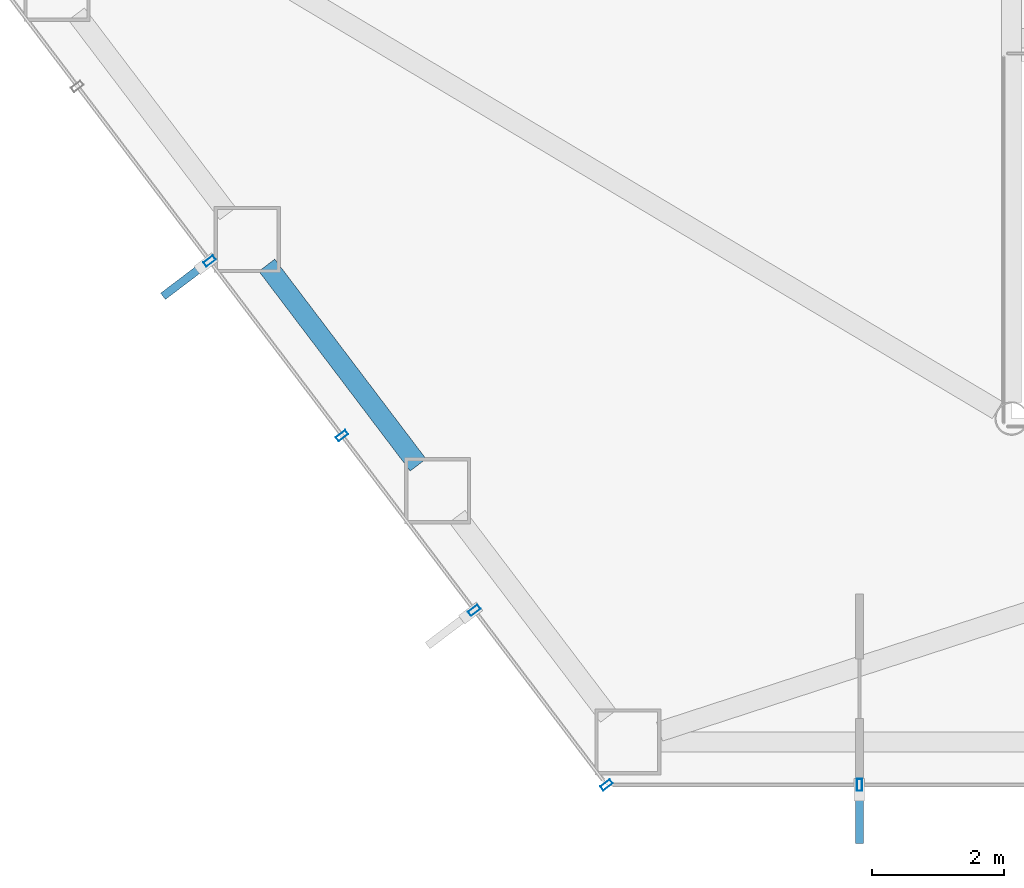
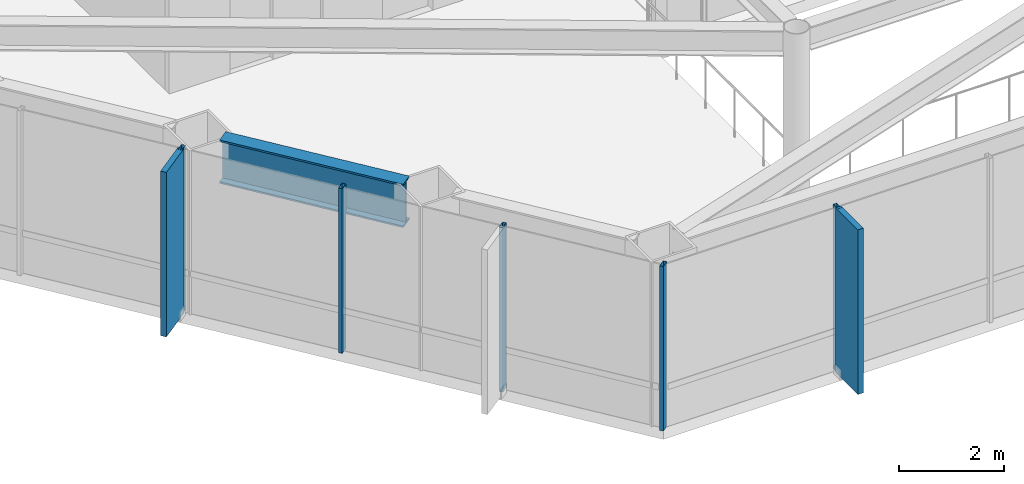
# One storey, part 2 of 25: 7 members, 1 beam, 2 elements without a shape of their own.
"""IFC4 building model written with IfcOpenShell, lengths in metres."""

from ifc_helpers import new_model, si_unit, direction, frame, origin, origin_2d, place, context, subcontext, project, spatial, rectangle, hollow_rectangle, i_section, extrude, material, layer, layer_set, material_profile, profile_set, type_object, element, aggregate, save


model = new_model("IFC4")

# Units and contexts
model_context = context("Model", 3, precision=1e-05, world=origin(), true_north=direction((0.0, 1.0)))
body_context = subcontext(model_context, "Body", "Model", "MODEL_VIEW")
ifc_project = project(units=[si_unit("LENGTHUNIT", "METRE"), si_unit("AREAUNIT", "SQUARE_METRE"), si_unit("VOLUMEUNIT", "CUBIC_METRE"), si_unit("PLANEANGLEUNIT", "RADIAN"), si_unit("MASSUNIT", "GRAM", prefix="KILO")], contexts=[model_context])

# Site, building, storey
site_placement = place(None, origin())
site = spatial("IfcSite", under=ifc_project, at=site_placement, CompositionType="ELEMENT")
building_placement = place(site_placement, origin())
building = spatial("IfcBuilding", under=site, at=building_placement, Name="Zarrinselat Tower", CompositionType="ELEMENT")
storey_placement = place(building_placement, frame((0.0, 0.0, 52.02001953125)))
storey = spatial("IfcBuildingStorey", under=building, at=storey_placement, Name="L12", CompositionType="ELEMENT", Elevation=52.02001953125)

# Beam
ifc_material_1 = material(Name="Steel S460M", Category="steel")
ifc_material_profile_1 = material_profile(ifc_material_1, i_section(OverallWidth=0.302001953125, OverallDepth=1.008056640625, WebThickness=0.02099609375, FlangeThickness=0.0400390625, at=origin_2d()), Name="HEM 1000")
ifc_profile_set_1 = profile_set([ifc_material_profile_1], Name="Steel S460M")
beam_type = type_object("IfcBeamType", Name="BM-HEM1000", PredefinedType="BEAM", material=ifc_profile_set_1)
beam_placement = place(storey_placement, frame((22.541015625, 26.718017578125, 3.31591796875), z_axis=(0.603839076561, -0.797106247384, 0.0), x_axis=(0.797106247384, 0.603839076561, 0.0)))
element("IfcBeam", 1, at=beam_placement, inside=storey, type_object=beam_type, Name="L12 Perimeter Spandrel Girder SP08", PredefinedType="BEAM", context=body_context, shape_type="SweptSolid", body=[
    extrude(i_section(OverallWidth=0.302001953125, OverallDepth=1.008056640625, WebThickness=0.02099609375, FlangeThickness=0.0400390625, at=origin_2d()), origin(), (0.0, 0.0, 1.0), 3.788330078125),
])

# Curtain wall, members
ifc_material_2 = material(Name="Extruded Aluminium Alloy EN AW-6063 T6", Category="aluminium")
ifc_layer = layer(ifc_material_2, 0.18505859375)
ifc_layer_set = layer_set([ifc_layer], Name="Extruded Aluminium Alloy EN AW-6063 T6")
curtain_wall_type = type_object("IfcCurtainWallType", Name="CWS-OFF", PredefinedType="NOTDEFINED", material=ifc_layer_set)
curtain_wall_1_placement = place(storey_placement, origin())
curtain_wall_1 = element("IfcCurtainWall", 2, at=curtain_wall_1_placement, inside=storey, type_object=curtain_wall_type, Name="L12 Unitised Curtain Wall CW-L12-E03", PredefinedType="NOTDEFINED")
ifc_material_3 = material(Name="Extruded Aluminium Alloy EN AW-6063 T6", Category="aluminium")
ifc_material_profile_2 = material_profile(ifc_material_3, hollow_rectangle(XDim=0.080078125, YDim=0.179931640625, WallThickness=0.0048828125, at=origin_2d()), Name="RHS 180x80x5")
ifc_profile_set_2 = profile_set([ifc_material_profile_2], Name="Extruded Aluminium Alloy EN AW-6063 T6")
member_type_1 = type_object("IfcMemberType", Name="MEM-CW-MUL", PredefinedType="MULLION", material=ifc_profile_set_2)
member_1_placement = place(storey_placement, frame((21.677001953125, 26.781982421875, 0.0), z_axis=(0.0, 0.0, 1.0), x_axis=(0.603861563254, -0.797089212337, 0.0)))
member_1 = element("IfcMember", 3, at=member_1_placement, type_object=member_type_1, Name="CW-L12-E03 Mullion 3", PredefinedType="MULLION", context=body_context, shape_type="SweptSolid", body=[
    extrude(hollow_rectangle(XDim=0.080078125, YDim=0.179931640625, WallThickness=0.0048828125, at=origin_2d()), origin(), (0.0, 0.0, 1.0), 3.820068359375),
])
member_2_placement = place(storey_placement, frame((23.67724609375, 24.141845703125, 0.0), z_axis=(0.0, 0.0, 1.0), x_axis=(0.603861563254, -0.797089212337, 0.0)))
member_2 = element("IfcMember", 4, at=member_2_placement, type_object=member_type_1, Name="CW-L12-E03 Mullion 4", PredefinedType="MULLION", context=body_context, shape_type="SweptSolid", body=[
    extrude(hollow_rectangle(XDim=0.080078125, YDim=0.179931640625, WallThickness=0.0048828125, at=origin_2d()), origin(), (0.0, 0.0, 1.0), 3.820068359375),
])
member_3_placement = place(storey_placement, frame((25.67724609375, 21.501708984375, 0.0), z_axis=(0.0, 0.0, 1.0), x_axis=(0.603861563254, -0.797089212337, 0.0)))
member_3 = element("IfcMember", 5, at=member_3_placement, type_object=member_type_1, Name="CW-L12-E03 Mullion 5", PredefinedType="MULLION", context=body_context, shape_type="SweptSolid", body=[
    extrude(hollow_rectangle(XDim=0.080078125, YDim=0.179931640625, WallThickness=0.0048828125, at=origin_2d()), origin(), (0.0, 0.0, 1.0), 3.820068359375),
])
member_4_placement = place(storey_placement, frame((27.677490234375, 18.86181640625, 0.0), z_axis=(0.0, 0.0, 1.0), x_axis=(0.603861563254, -0.797089212337, 0.0)))
member_4 = element("IfcMember", 6, at=member_4_placement, type_object=member_type_1, Name="CW-L12-E03 Mullion 6", PredefinedType="MULLION", context=body_context, shape_type="SweptSolid", body=[
    extrude(hollow_rectangle(XDim=0.080078125, YDim=0.179931640625, WallThickness=0.0048828125, at=origin_2d()), origin(), (0.0, 0.0, 1.0), 3.820068359375),
])

# Curtain wall, member
curtain_wall_2_placement = place(storey_placement, origin())
curtain_wall_2 = element("IfcCurtainWall", 7, at=curtain_wall_2_placement, inside=storey, type_object=curtain_wall_type, Name="L12 Unitised Curtain Wall CW-L12-E04", PredefinedType="NOTDEFINED")
member_5_placement = place(storey_placement, frame((31.5, 18.86181640625, 0.0), z_axis=(0.0, 0.0, 1.0), x_axis=(1.0, 0.0, 0.0)))
member_5 = element("IfcMember", 8, at=member_5_placement, type_object=member_type_1, Name="CW-L12-E04 Mullion 1", PredefinedType="MULLION", context=body_context, shape_type="SweptSolid", body=[
    extrude(hollow_rectangle(XDim=0.080078125, YDim=0.179931640625, WallThickness=0.0048828125, at=origin_2d()), origin(), (0.0, 0.0, 1.0), 3.820068359375),
])

# Member
ifc_material_4 = material(Name="Honed Cream Travertine Stone", Category="masonry")
ifc_material_profile_3 = material_profile(ifc_material_4, rectangle(XDim=0.1201171875, YDim=0.85009765625, at=origin_2d()), Name="FIN 850x120")
ifc_profile_set_3 = profile_set([ifc_material_profile_3], Name="Honed Cream Travertine Stone")
member_type_2 = type_object("IfcMemberType", Name="MEM-STONE-FIN", PredefinedType="USERDEFINED", material=ifc_profile_set_3)
member_6_placement = place(storey_placement, frame((21.310302734375, 26.504150390625, 0.0), z_axis=(0.0, 0.0, 1.0), x_axis=(-0.603861563254, 0.797089212337, 0.0)))
member_6 = element("IfcMember", 9, at=member_6_placement, type_object=member_type_2, Name="L12 Stone Shading Fin CW-L12-E03-03", ObjectType="FIN", PredefinedType="USERDEFINED", context=body_context, shape_type="SweptSolid", body=[
    extrude(rectangle(XDim=0.1201171875, YDim=0.85009765625, at=origin_2d()), origin(), (0.0, 0.0, 1.0), 3.820068359375),
])

aggregate(curtain_wall_1, [member_1, member_6, member_2, member_3, member_4])

member_7_placement = place(storey_placement, frame((31.5, 18.401611328125, 0.0), z_axis=(0.0, 0.0, 1.0), x_axis=(-1.0, 0.0, 0.0)))
member_7 = element("IfcMember", 10, at=member_7_placement, type_object=member_type_2, Name="L12 Stone Shading Fin CW-L12-E04-01", ObjectType="FIN", PredefinedType="USERDEFINED", context=body_context, shape_type="SweptSolid", body=[
    extrude(rectangle(XDim=0.1201171875, YDim=0.85009765625, at=origin_2d()), origin(), (0.0, 0.0, 1.0), 3.820068359375),
])

aggregate(curtain_wall_2, [member_5, member_7])

save(model, "model.ifc")
